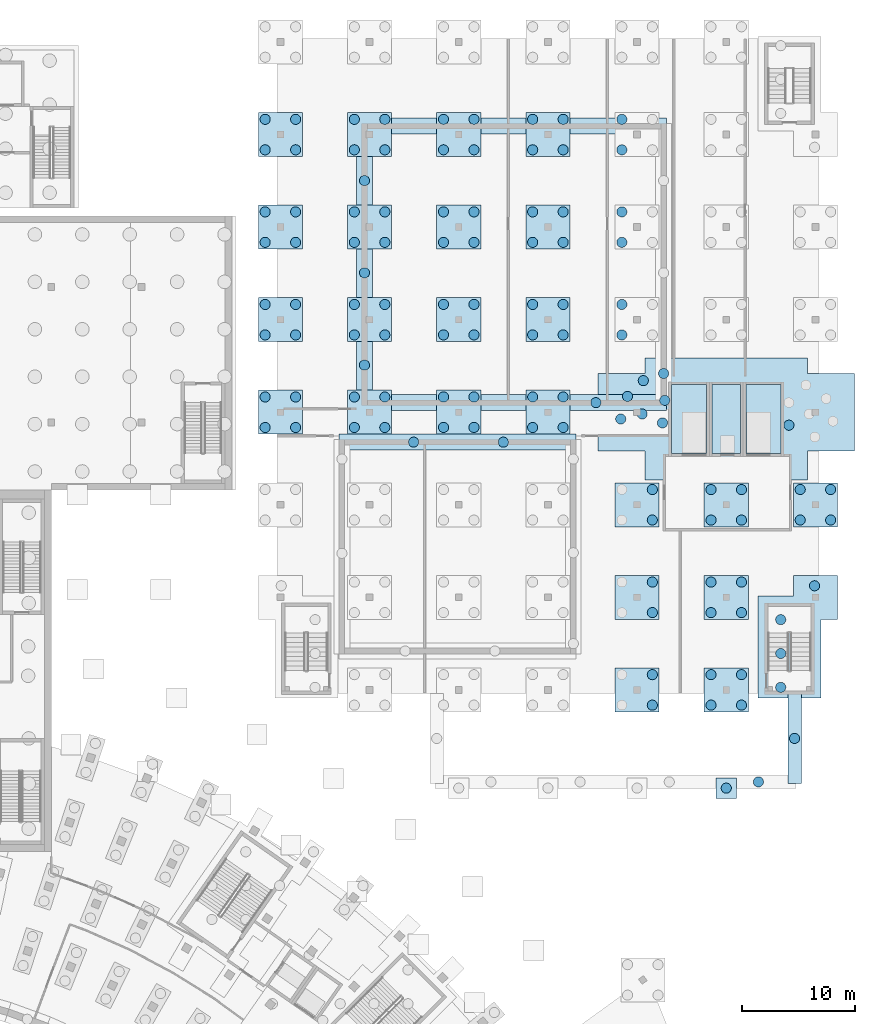
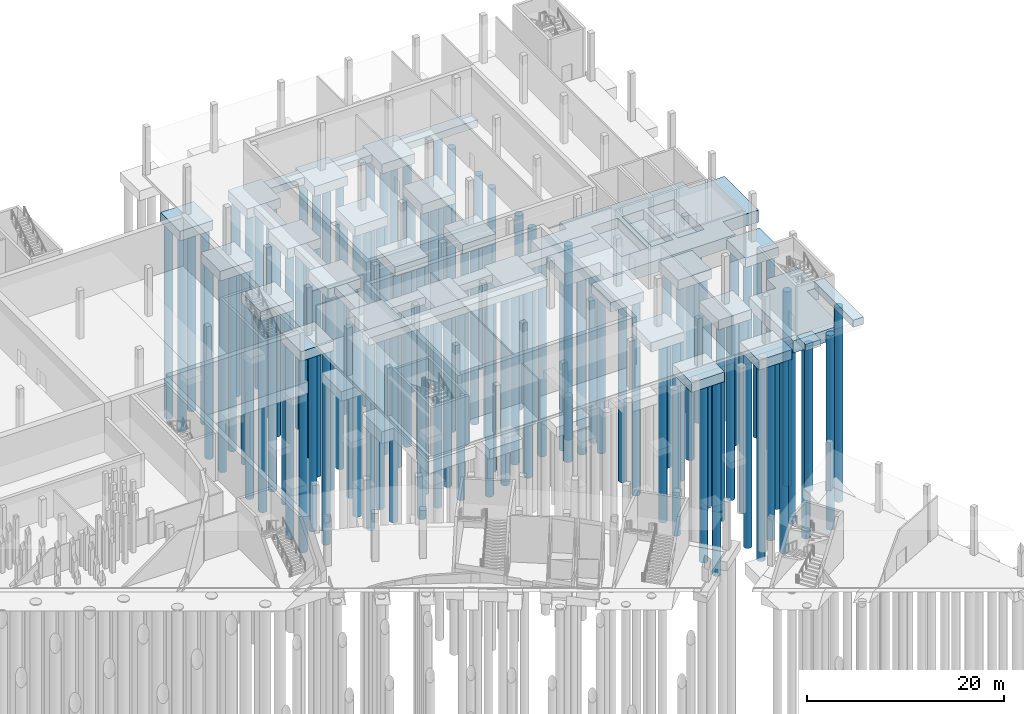
# One storey, part 9 of 66: 113 piles, 34 footings.
"""IFC4 building model written with IfcOpenShell, lengths in metres."""

from ifc_helpers import new_model, si_unit, direction, frame, origin, origin_2d, place, context, subcontext, project, spatial, polyline, circle, outline, extrude, material, material_profile, profile_set, type_object, element, save


model = new_model("IFC4")

# Units and contexts
model_context = context("Model", 3, precision=1e-05, world=origin(), true_north=direction((0.0, 1.0)))
body_context = subcontext(model_context, "Body", "Model", "MODEL_VIEW")
ifc_project = project(units=[si_unit("LENGTHUNIT", "METRE"), si_unit("AREAUNIT", "SQUARE_METRE"), si_unit("VOLUMEUNIT", "CUBIC_METRE"), si_unit("PLANEANGLEUNIT", "RADIAN"), si_unit("MASSUNIT", "GRAM", prefix="KILO")], contexts=[model_context])

# Site, building, storey
site_placement = place(None, origin())
site = spatial("IfcSite", under=ifc_project, at=site_placement, CompositionType="ELEMENT")
building_placement = place(site_placement, origin())
building = spatial("IfcBuilding", under=site, at=building_placement, Name="Lunette Opera House", CompositionType="ELEMENT")
storey_placement = place(building_placement, frame((0.0, 0.0, -6.0)))
storey = spatial("IfcBuildingStorey", under=building, at=storey_placement, Name="B1", CompositionType="ELEMENT", Elevation=-6.0)

# Piles
ifc_material_1 = material(Name="Concrete C40/50", Category="concrete")
ifc_material_profile = material_profile(ifc_material_1, circle(Radius=0.449951171875, at=origin_2d()), Name="BORED PILE 900")
ifc_profile_set = profile_set([ifc_material_profile], Name="Concrete C40/50")
pile_type = type_object("IfcPileType", Name="BORED PILE 900", PredefinedType="BORED", material=ifc_profile_set)
for number, where, z_axis, x_axis, name in (
    (1, (134.949951171875, 101.550048828125, -1.39990234375), (0.0, 0.0, -1.0), (1.0, 0.0, 0.0), "pile-WW-CAP002-1"),
    (2, (137.64990234375, 101.550048828125, -1.39990234375), (0.0, 0.0, -1.0), (1.0, 0.0, 0.0), "pile-WW-CAP002-2"),
    (3, (134.949951171875, 104.25, -1.39990234375), (0.0, 0.0, -1.0), (1.0, 0.0, 0.0), "pile-WW-CAP002-3"),
    (4, (137.64990234375, 104.25, -1.39990234375), (0.0, 0.0, -1.0), (1.0, 0.0, 0.0), "pile-WW-CAP002-4"),
    (5, (134.949951171875, 109.75, -1.39990234375), (0.0, 0.0, -1.0), (1.0, 0.0, 0.0), "pile-WW-CAP003-1"),
    (6, (137.64990234375, 109.75, -1.39990234375), (0.0, 0.0, -1.0), (1.0, 0.0, 0.0), "pile-WW-CAP003-2"),
    (7, (134.949951171875, 112.449951171875, -1.39990234375), (0.0, 0.0, -1.0), (1.0, 0.0, 0.0), "pile-WW-CAP003-3"),
    (8, (137.64990234375, 112.449951171875, -1.39990234375), (0.0, 0.0, -1.0), (1.0, 0.0, 0.0), "pile-WW-CAP003-4"),
    (9, (134.949951171875, 117.949951171875, -1.39990234375), (0.0, 0.0, -1.0), (1.0, 0.0, 0.0), "pile-WW-CAP004-1"),
    (10, (137.64990234375, 117.949951171875, -1.39990234375), (0.0, 0.0, -1.0), (1.0, 0.0, 0.0), "pile-WW-CAP004-2"),
    (11, (134.949951171875, 120.64990234375, -1.39990234375), (0.0, 0.0, -1.0), (1.0, 0.0, 0.0), "pile-WW-CAP004-3"),
    (12, (137.64990234375, 120.64990234375, -1.39990234375), (0.0, 0.0, -1.0), (1.0, 0.0, 0.0), "pile-WW-CAP004-4"),
    (13, (134.949951171875, 126.14990234375, -1.39990234375), (0.0, 0.0, -1.0), (1.0, 0.0, 0.0), "pile-WW-CAP005-1"),
    (14, (137.64990234375, 126.14990234375, -1.39990234375), (0.0, 0.0, -1.0), (1.0, 0.0, 0.0), "pile-WW-CAP005-2"),
    (15, (134.949951171875, 128.85009765625, -1.39990234375), (0.0, 0.0, -1.0), (1.0, 0.0, 0.0), "pile-WW-CAP005-3"),
    (16, (137.64990234375, 128.85009765625, -1.39990234375), (0.0, 0.0, -1.0), (1.0, 0.0, 0.0), "pile-WW-CAP005-4"),
    (17, (142.85009765625, 101.550048828125, -1.39990234375), (0.0, 0.0, -1.0), (1.0, 0.0, 0.0), "pile-WW-CAP010-1"),
    (18, (145.550048828125, 101.550048828125, -1.39990234375), (0.0, 0.0, -1.0), (1.0, 0.0, 0.0), "pile-WW-CAP010-2"),
    (19, (142.85009765625, 104.25, -1.39990234375), (0.0, 0.0, -1.0), (1.0, 0.0, 0.0), "pile-WW-CAP010-3"),
    (20, (145.550048828125, 104.25, -1.39990234375), (0.0, 0.0, -1.0), (1.0, 0.0, 0.0), "pile-WW-CAP010-4"),
    (21, (142.85009765625, 109.75, -1.39990234375), (0.0, 0.0, -1.0), (1.0, 0.0, 0.0), "pile-WW-CAP011-1"),
    (22, (145.550048828125, 109.75, -1.39990234375), (0.0, 0.0, -1.0), (1.0, 0.0, 0.0), "pile-WW-CAP011-2"),
    (23, (142.85009765625, 112.449951171875, -1.39990234375), (0.0, 0.0, -1.0), (1.0, 0.0, 0.0), "pile-WW-CAP011-3"),
    (24, (145.550048828125, 112.449951171875, -1.39990234375), (0.0, 0.0, -1.0), (1.0, 0.0, 0.0), "pile-WW-CAP011-4"),
    (25, (142.85009765625, 117.949951171875, -1.39990234375), (0.0, 0.0, -1.0), (1.0, 0.0, 0.0), "pile-WW-CAP012-1"),
    (26, (145.550048828125, 117.949951171875, -1.39990234375), (0.0, 0.0, -1.0), (1.0, 0.0, 0.0), "pile-WW-CAP012-2"),
    (27, (142.85009765625, 120.64990234375, -1.39990234375), (0.0, 0.0, -1.0), (1.0, 0.0, 0.0), "pile-WW-CAP012-3"),
    (28, (145.550048828125, 120.64990234375, -1.39990234375), (0.0, 0.0, -1.0), (1.0, 0.0, 0.0), "pile-WW-CAP012-4"),
    (29, (142.85009765625, 126.14990234375, -1.39990234375), (0.0, 0.0, -1.0), (1.0, 0.0, 0.0), "pile-WW-CAP013-1"),
    (30, (145.550048828125, 126.14990234375, -1.39990234375), (0.0, 0.0, -1.0), (1.0, 0.0, 0.0), "pile-WW-CAP013-2"),
    (31, (142.85009765625, 128.85009765625, -1.39990234375), (0.0, 0.0, -1.0), (1.0, 0.0, 0.0), "pile-WW-CAP013-3"),
    (32, (145.550048828125, 128.85009765625, -1.39990234375), (0.0, 0.0, -1.0), (1.0, 0.0, 0.0), "pile-WW-CAP013-4"),
    (33, (150.75, 101.550048828125, -1.39990234375), (0.0, 0.0, -1.0), (1.0, 0.0, 0.0), "pile-WW-CAP018-1"),
    (34, (153.449951171875, 101.550048828125, -1.39990234375), (0.0, 0.0, -1.0), (1.0, 0.0, 0.0), "pile-WW-CAP018-2"),
    (35, (150.75, 104.25, -1.39990234375), (0.0, 0.0, -1.0), (1.0, 0.0, 0.0), "pile-WW-CAP018-3"),
    (36, (153.449951171875, 104.25, -1.39990234375), (0.0, 0.0, -1.0), (1.0, 0.0, 0.0), "pile-WW-CAP018-4"),
    (37, (150.75, 109.75, -1.39990234375), (0.0, 0.0, -1.0), (1.0, 0.0, 0.0), "pile-WW-CAP019-1"),
    (38, (153.449951171875, 109.75, -1.39990234375), (0.0, 0.0, -1.0), (1.0, 0.0, 0.0), "pile-WW-CAP019-2"),
    (39, (150.75, 112.449951171875, -1.39990234375), (0.0, 0.0, -1.0), (1.0, 0.0, 0.0), "pile-WW-CAP019-3"),
    (40, (153.449951171875, 112.449951171875, -1.39990234375), (0.0, 0.0, -1.0), (1.0, 0.0, 0.0), "pile-WW-CAP019-4"),
    (41, (150.75, 117.949951171875, -1.39990234375), (0.0, 0.0, -1.0), (1.0, 0.0, 0.0), "pile-WW-CAP020-1"),
    (42, (153.449951171875, 117.949951171875, -1.39990234375), (0.0, 0.0, -1.0), (1.0, 0.0, 0.0), "pile-WW-CAP020-2"),
    (43, (150.75, 120.64990234375, -1.39990234375), (0.0, 0.0, -1.0), (1.0, 0.0, 0.0), "pile-WW-CAP020-3"),
    (44, (153.449951171875, 120.64990234375, -1.39990234375), (0.0, 0.0, -1.0), (1.0, 0.0, 0.0), "pile-WW-CAP020-4"),
    (45, (150.75, 126.14990234375, -1.39990234375), (0.0, 0.0, -1.0), (1.0, 0.0, 0.0), "pile-WW-CAP021-1"),
    (46, (153.449951171875, 126.14990234375, -1.39990234375), (0.0, 0.0, -1.0), (1.0, 0.0, 0.0), "pile-WW-CAP021-2"),
    (47, (150.75, 128.85009765625, -1.39990234375), (0.0, 0.0, -1.0), (1.0, 0.0, 0.0), "pile-WW-CAP021-3"),
    (48, (153.449951171875, 128.85009765625, -1.39990234375), (0.0, 0.0, -1.0), (1.0, 0.0, 0.0), "pile-WW-CAP021-4"),
    (49, (158.64990234375, 101.550048828125, -1.39990234375), (0.0, 0.0, -1.0), (1.0, 0.0, 0.0), "pile-WW-CAP026-1"),
    (50, (161.35009765625, 101.550048828125, -1.39990234375), (0.0, 0.0, -1.0), (1.0, 0.0, 0.0), "pile-WW-CAP026-2"),
    (51, (158.64990234375, 104.25, -1.39990234375), (0.0, 0.0, -1.0), (1.0, 0.0, 0.0), "pile-WW-CAP026-3"),
    (52, (161.35009765625, 104.25, -1.39990234375), (0.0, 0.0, -1.0), (1.0, 0.0, 0.0), "pile-WW-CAP026-4"),
    (53, (158.64990234375, 109.75, -1.39990234375), (0.0, 0.0, -1.0), (1.0, 0.0, 0.0), "pile-WW-CAP027-1"),
    (54, (161.35009765625, 109.75, -1.39990234375), (0.0, 0.0, -1.0), (1.0, 0.0, 0.0), "pile-WW-CAP027-2"),
    (55, (158.64990234375, 112.449951171875, -1.39990234375), (0.0, 0.0, -1.0), (1.0, 0.0, 0.0), "pile-WW-CAP027-3"),
    (56, (161.35009765625, 112.449951171875, -1.39990234375), (0.0, 0.0, -1.0), (1.0, 0.0, 0.0), "pile-WW-CAP027-4"),
    (57, (158.64990234375, 117.949951171875, -1.39990234375), (0.0, 0.0, -1.0), (1.0, 0.0, 0.0), "pile-WW-CAP028-1"),
    (58, (161.35009765625, 117.949951171875, -1.39990234375), (0.0, 0.0, -1.0), (1.0, 0.0, 0.0), "pile-WW-CAP028-2"),
    (59, (158.64990234375, 120.64990234375, -1.39990234375), (0.0, 0.0, -1.0), (1.0, 0.0, 0.0), "pile-WW-CAP028-3"),
    (60, (161.35009765625, 120.64990234375, -1.39990234375), (0.0, 0.0, -1.0), (1.0, 0.0, 0.0), "pile-WW-CAP028-4"),
    (61, (158.64990234375, 126.14990234375, -1.39990234375), (0.0, 0.0, -1.0), (1.0, 0.0, 0.0), "pile-WW-CAP029-1"),
    (62, (161.35009765625, 126.14990234375, -1.39990234375), (0.0, 0.0, -1.0), (1.0, 0.0, 0.0), "pile-WW-CAP029-2"),
    (63, (158.64990234375, 128.85009765625, -1.39990234375), (0.0, 0.0, -1.0), (1.0, 0.0, 0.0), "pile-WW-CAP029-3"),
    (64, (161.35009765625, 128.85009765625, -1.39990234375), (0.0, 0.0, -1.0), (1.0, 0.0, 0.0), "pile-WW-CAP029-4"),
    (65, (169.25, 76.949951171875, -1.39990234375), (0.0, 0.0, -1.0), (1.0, 0.0, 0.0), "pile-WW-CAP031-2"),
    (66, (169.25, 79.64990234375, -1.39990234375), (0.0, 0.0, -1.0), (1.0, 0.0, 0.0), "pile-WW-CAP031-4"),
    (67, (169.25, 85.14990234375, -1.39990234375), (0.0, 0.0, -1.0), (1.0, 0.0, 0.0), "pile-WW-CAP032-2"),
    (68, (169.25, 87.85009765625, -1.39990234375), (0.0, 0.0, -1.0), (1.0, 0.0, 0.0), "pile-WW-CAP032-4"),
    (69, (169.25, 93.35009765625, -1.39990234375), (0.0, 0.0, -1.0), (1.0, 0.0, 0.0), "pile-WW-CAP033-2"),
    (70, (169.25, 96.050048828125, -1.39990234375), (0.0, 0.0, -1.0), (1.0, 0.0, 0.0), "pile-WW-CAP033-4"),
    (71, (166.550048828125, 109.75, -1.39990234375), (0.0, 0.0, -1.0), (1.0, 0.0, 0.0), "pile-WW-CAP034-1"),
    (72, (166.550048828125, 112.449951171875, -1.39990234375), (0.0, 0.0, -1.0), (1.0, 0.0, 0.0), "pile-WW-CAP034-3"),
    (73, (166.550048828125, 117.949951171875, -1.39990234375), (0.0, 0.0, -1.0), (1.0, 0.0, 0.0), "pile-WW-CAP035-1"),
    (74, (166.550048828125, 120.64990234375, -1.39990234375), (0.0, 0.0, -1.0), (1.0, 0.0, 0.0), "pile-WW-CAP035-3"),
    (75, (166.550048828125, 126.14990234375, -1.39990234375), (0.0, 0.0, -1.0), (1.0, 0.0, 0.0), "pile-WW-CAP036-1"),
    (76, (166.550048828125, 128.85009765625, -1.39990234375), (0.0, 0.0, -1.0), (1.0, 0.0, 0.0), "pile-WW-CAP036-3"),
    (77, (174.449951171875, 76.949951171875, -1.39990234375), (0.0, 0.0, -1.0), (1.0, 0.0, 0.0), "pile-WW-CAP038-1"),
    (78, (177.14990234375, 76.949951171875, -1.39990234375), (0.0, 0.0, -1.0), (1.0, 0.0, 0.0), "pile-WW-CAP038-2"),
    (79, (174.449951171875, 79.64990234375, -1.39990234375), (0.0, 0.0, -1.0), (1.0, 0.0, 0.0), "pile-WW-CAP038-3"),
    (80, (177.14990234375, 79.64990234375, -1.39990234375), (0.0, 0.0, -1.0), (1.0, 0.0, 0.0), "pile-WW-CAP038-4"),
    (81, (174.449951171875, 85.14990234375, -1.39990234375), (0.0, 0.0, -1.0), (1.0, 0.0, 0.0), "pile-WW-CAP039-1"),
    (82, (177.14990234375, 85.14990234375, -1.39990234375), (0.0, 0.0, -1.0), (1.0, 0.0, 0.0), "pile-WW-CAP039-2"),
    (83, (174.449951171875, 87.85009765625, -1.39990234375), (0.0, 0.0, -1.0), (1.0, 0.0, 0.0), "pile-WW-CAP039-3"),
    (84, (177.14990234375, 87.85009765625, -1.39990234375), (0.0, 0.0, -1.0), (1.0, 0.0, 0.0), "pile-WW-CAP039-4"),
    (85, (174.449951171875, 93.35009765625, -1.39990234375), (0.0, 0.0, -1.0), (1.0, 0.0, 0.0), "pile-WW-CAP040-1"),
    (86, (177.14990234375, 93.35009765625, -1.39990234375), (0.0, 0.0, -1.0), (1.0, 0.0, 0.0), "pile-WW-CAP040-2"),
    (87, (174.449951171875, 96.050048828125, -1.39990234375), (0.0, 0.0, -1.0), (1.0, 0.0, 0.0), "pile-WW-CAP040-3"),
    (88, (177.14990234375, 96.050048828125, -1.39990234375), (0.0, 0.0, -1.0), (1.0, 0.0, 0.0), "pile-WW-CAP040-4"),
    (89, (182.35009765625, 93.35009765625, -1.39990234375), (0.0, 0.0, -1.0), (1.0, 0.0, 0.0), "pile-WW-CAP045-1"),
    (90, (185.050048828125, 93.35009765625, -1.39990234375), (0.0, 0.0, -1.0), (1.0, 0.0, 0.0), "pile-WW-CAP045-2"),
    (91, (182.35009765625, 96.050048828125, -1.39990234375), (0.0, 0.0, -1.0), (1.0, 0.0, 0.0), "pile-WW-CAP045-3"),
    (92, (185.050048828125, 96.050048828125, -1.39990234375), (0.0, 0.0, -1.0), (1.0, 0.0, 0.0), "pile-WW-CAP045-4"),
    (93, (166.449951171875, 102.300048828125, -1.699951171875), (0.0, 0.0, -1.0), (1.0, 0.0, 0.0), "pile-WW-RAFT01-01"),
    (94, (170.14990234375, 101.949951171875, -1.699951171875), (0.0, 0.0, -1.0), (1.0, 0.0, 0.0), "pile-WW-RAFT01-02"),
    (95, (168.449951171875, 105.699951171875, -1.699951171875), (0.0, 0.0, -1.0), (1.0, 0.0, 0.0), "pile-WW-RAFT01-03"),
    (96, (170.35009765625, 103.949951171875, -1.699951171875), (0.0, 0.0, -1.0), (1.0, 0.0, 0.0), "pile-WW-RAFT01-05"),
    (97, (168.35009765625, 102.75, -1.699951171875), (0.0, 0.0, -1.0), (1.0, 0.0, 0.0), "pile-WW-RAFT01-08"),
    (98, (167.050048828125, 104.300048828125, -1.699951171875), (0.0, 0.0, -1.0), (1.0, 0.0, 0.0), "pile-WW-RAFT01-10"),
    (99, (181.35009765625, 101.75, -1.699951171875), (0.0, 0.0, -1.0), (1.0, 0.0, 0.0), "pile-WW-RAFT01-12"),
    (100, (180.625, 78.52490234375, -1.699951171875), (0.0, 0.0, -1.0), (1.0, 0.0, 0.0), "pile-WW-RAFT03-01"),
    (101, (180.625, 81.52490234375, -1.699951171875), (0.0, 0.0, -1.0), (1.0, 0.0, 0.0), "pile-WW-RAFT03-02"),
    (102, (180.625, 84.52490234375, -1.699951171875), (0.0, 0.0, -1.0), (1.0, 0.0, 0.0), "pile-WW-RAFT03-03"),
    (103, (183.625, 87.52490234375, -1.699951171875), (0.0, 0.0, -1.0), (1.0, 0.0, 0.0), "pile-WW-RAFT03-04"),
    (104, (148.10009765625, 100.25, -1.10009765625), (0.0, 0.0, -1.0), (1.0, 0.0, 0.0), "pile-WW-SFCPN-1"),
    (105, (156.050048828125, 100.25, -1.10009765625), (0.0, 0.0, -1.0), (1.0, 0.0, 0.0), "pile-WW-SFCPN-2"),
    (106, (164.25, 103.75, -1.10009765625), (0.0, 0.0, -1.0), (1.0, 0.0, 0.0), "pile-WW-SFPHS-1"),
    (107, (143.75, 107.0830078125, -1.10009765625), (0.0, 0.0, -1.0), (1.0, 0.0, 0.0), "pile-WW-SFPHW-1"),
    (108, (143.75, 115.25, -1.10009765625), (0.0, 0.0, -1.0), (1.0, 0.0, 0.0), "pile-WW-SFPHW-2"),
    (109, (143.75, 123.4169921875, -1.10009765625), (0.0, 0.0, -1.0), (1.0, 0.0, 0.0), "pile-WW-SFPHW-3"),
    (110, (170.25, 106.3330078125, -1.10009765625), (0.0, 0.0, -1.0), (1.0, 0.0, 0.0), "pile-WW-SFPHE-1"),
):
    element("IfcPile", number, at=place(storey_placement, frame(where, z_axis=z_axis, x_axis=x_axis)), inside=storey, type_object=pile_type, Name=name, PredefinedType="BORED", context=body_context, shape_type="SweptSolid", body=[
        extrude(circle(Radius=0.449951171875, at=origin_2d()), origin(), (0.0, 0.0, 1.0), 24.10009765625),
    ])
pile_placement = place(storey_placement, frame((175.800048828125, 69.60009765625, 5.25), z_axis=(0.0, 0.0, -1.0), x_axis=(1.0, 0.0, 0.0)))
element("IfcPile", 111, at=pile_placement, inside=storey, type_object=pile_type, Name="pile-WW-DCP4-1", PredefinedType="BORED", context=body_context, shape_type="SweptSolid", body=[
    extrude(circle(Radius=0.449951171875, at=origin_2d()), origin(), (0.0, 0.0, 1.0), 18.10009765625),
])
for number, where, z_axis, x_axis, name in (
    (112, (178.64990234375, 70.14990234375, 5.14990234375), (0.0, 0.0, -1.0), (1.0, 0.0, 0.0), "pile-WW-SFDKS-4"),
    (113, (181.85009765625, 74.0, 5.14990234375), (0.0, 0.0, -1.0), (1.0, 0.0, 0.0), "pile-WW-SFDKE-1"),
):
    element("IfcPile", number, at=place(storey_placement, frame(where, z_axis=z_axis, x_axis=x_axis)), inside=storey, type_object=pile_type, Name=name, PredefinedType="BORED", context=body_context, shape_type="SweptSolid", body=[
        extrude(circle(Radius=0.449951171875, at=origin_2d()), origin(), (0.0, 0.0, 1.0), 24.10009765625),
    ])

# Footings
ifc_material_2 = material(Name="Concrete C40/50", Category="concrete")
footing_type_1 = type_object("IfcFootingType", Name="CORE RAFT 1500", PredefinedType="PILE_CAP", material=ifc_material_2)
footing_1_placement = place(storey_placement, frame((0.0, 0.0, -1.800048828125)))
element("IfcFooting", 114, at=footing_1_placement, inside=storey, type_object=footing_type_1, Name="ftg-WW-RAFT01", PredefinedType="PILE_CAP", context=body_context, shape_type="SweptSolid", body=[
    extrude(outline(polyline([(168.60009765625, 106.35009765625), (164.449951171875, 106.35009765625), (164.449951171875, 99.449951171875), (168.60009765625, 99.449951171875), (168.60009765625, 96.89990234375), (183.0, 96.89990234375), (183.0, 99.449951171875), (187.14990234375, 99.449951171875), (187.14990234375, 106.35009765625), (183.0, 106.35009765625), (183.0, 107.699951171875), (168.60009765625, 107.699951171875), (168.60009765625, 106.35009765625)]), holes=[polyline([(174.050048828125, 99.25), (170.949951171875, 99.25), (170.949951171875, 105.35009765625), (174.050048828125, 105.35009765625), (174.050048828125, 99.25)]), polyline([(174.550048828125, 105.35009765625), (177.050048828125, 105.35009765625), (177.050048828125, 99.25), (174.550048828125, 99.25), (174.550048828125, 105.35009765625)]), polyline([(177.550048828125, 105.35009765625), (180.64990234375, 105.35009765625), (180.64990234375, 99.25), (177.550048828125, 99.25), (177.550048828125, 105.35009765625)])]), origin(), (0.0, 0.0, 1.0), 1.5),
])
footing_2_placement = place(storey_placement, frame((0.0, 0.0, -1.800048828125)))
element("IfcFooting", 115, at=footing_2_placement, inside=storey, type_object=footing_type_1, Name="ftg-WW-RAFT03", PredefinedType="PILE_CAP", context=body_context, shape_type="SweptSolid", body=[
    extrude(outline(polyline([(181.75, 88.449951171875), (181.75, 86.60009765625), (178.60009765625, 86.60009765625), (178.60009765625, 77.60009765625), (184.199951171875, 77.60009765625), (184.199951171875, 84.550048828125), (185.64990234375, 84.550048828125), (185.64990234375, 88.449951171875), (181.75, 88.449951171875)])), origin(), (0.0, 0.0, 1.0), 1.5),
])
ifc_material_3 = material(Name="Concrete C35/45", Category="concrete")
footing_type_2 = type_object("IfcFootingType", Name="LIFT PIT FLOOR 300", PredefinedType="PAD_FOOTING", material=ifc_material_3)
footing_3_placement = place(storey_placement, frame((0.0, 0.0, -1.800048828125)))
element("IfcFooting", 116, at=footing_3_placement, inside=storey, type_object=footing_type_2, Name="LF6 pit floor", PredefinedType="PAD_FOOTING", context=body_context, shape_type="SweptSolid", body=[
    extrude(outline(polyline([(177.050048828125, 99.25), (174.550048828125, 99.25), (174.550048828125, 105.35009765625), (177.050048828125, 105.35009765625), (177.050048828125, 99.25)])), origin(), (0.0, 0.0, 1.0), 0.300048828125),
])
footing_4_placement = place(storey_placement, frame((0.0, 0.0, -1.800048828125)))
element("IfcFooting", 117, at=footing_4_placement, inside=storey, type_object=footing_type_2, Name="LG2 pit floor", PredefinedType="PAD_FOOTING", context=body_context, shape_type="SweptSolid", body=[
    extrude(outline(polyline([(174.050048828125, 99.25), (170.949951171875, 99.25), (170.949951171875, 105.35009765625), (174.050048828125, 105.35009765625), (174.050048828125, 99.25)])), origin(), (0.0, 0.0, 1.0), 0.300048828125),
])
footing_5_placement = place(storey_placement, frame((0.0, 0.0, -1.800048828125)))
element("IfcFooting", 118, at=footing_5_placement, inside=storey, type_object=footing_type_2, Name="LG3 pit floor", PredefinedType="PAD_FOOTING", context=body_context, shape_type="SweptSolid", body=[
    extrude(outline(polyline([(180.64990234375, 99.25), (177.550048828125, 99.25), (177.550048828125, 105.35009765625), (180.64990234375, 105.35009765625), (180.64990234375, 99.25)])), origin(), (0.0, 0.0, 1.0), 0.300048828125),
])
ifc_material_4 = material(Name="Concrete C35/45", Category="concrete")
footing_type_3 = type_object("IfcFootingType", Name="PAD FOOTING 1800X1800", PredefinedType="PAD_FOOTING", material=ifc_material_4)
footing_6_placement = place(storey_placement, frame((0.0, 0.0, 5.14990234375)))
element("IfcFooting", 119, at=footing_6_placement, inside=storey, type_object=footing_type_3, Name="ftg-WW-DCP4", PredefinedType="PAD_FOOTING", context=body_context, shape_type="SweptSolid", body=[
    extrude(outline(polyline([(176.699951171875, 68.699951171875), (176.699951171875, 70.5), (174.89990234375, 70.5), (174.89990234375, 68.699951171875), (176.699951171875, 68.699951171875)])), origin(), (0.0, 0.0, 1.0), 0.800048828125),
])
ifc_material_5 = material(Name="Concrete C35/45", Category="concrete")
footing_type_4 = type_object("IfcFootingType", Name="PILE CAP 3900X3900", PredefinedType="PILE_CAP", material=ifc_material_5)
footing_7_placement = place(storey_placement, frame((0.0, 0.0, -1.5)))
element("IfcFooting", 120, at=footing_7_placement, inside=storey, type_object=footing_type_4, Name="ftg-WW-CAP002", PredefinedType="PILE_CAP", context=body_context, shape_type="SweptSolid", body=[
    extrude(outline(polyline([(138.25, 100.949951171875), (138.25, 104.85009765625), (134.35009765625, 104.85009765625), (134.35009765625, 100.949951171875), (138.25, 100.949951171875)])), origin(), (0.0, 0.0, 1.0), 1.199951171875),
])
footing_8_placement = place(storey_placement, frame((0.0, 0.0, -1.5)))
element("IfcFooting", 121, at=footing_8_placement, inside=storey, type_object=footing_type_4, Name="ftg-WW-CAP003", PredefinedType="PILE_CAP", context=body_context, shape_type="SweptSolid", body=[
    extrude(outline(polyline([(138.25, 109.14990234375), (138.25, 113.050048828125), (134.35009765625, 113.050048828125), (134.35009765625, 109.14990234375), (138.25, 109.14990234375)])), origin(), (0.0, 0.0, 1.0), 1.199951171875),
])
footing_9_placement = place(storey_placement, frame((0.0, 0.0, -1.5)))
element("IfcFooting", 122, at=footing_9_placement, inside=storey, type_object=footing_type_4, Name="ftg-WW-CAP004", PredefinedType="PILE_CAP", context=body_context, shape_type="SweptSolid", body=[
    extrude(outline(polyline([(138.25, 117.35009765625), (138.25, 121.25), (134.35009765625, 121.25), (134.35009765625, 117.35009765625), (138.25, 117.35009765625)])), origin(), (0.0, 0.0, 1.0), 1.199951171875),
])
footing_10_placement = place(storey_placement, frame((0.0, 0.0, -1.5)))
element("IfcFooting", 123, at=footing_10_placement, inside=storey, type_object=footing_type_4, Name="ftg-WW-CAP005", PredefinedType="PILE_CAP", context=body_context, shape_type="SweptSolid", body=[
    extrude(outline(polyline([(138.25, 125.550048828125), (138.25, 129.449951171875), (134.35009765625, 129.449951171875), (134.35009765625, 125.550048828125), (138.25, 125.550048828125)])), origin(), (0.0, 0.0, 1.0), 1.199951171875),
])
footing_11_placement = place(storey_placement, frame((0.0, 0.0, -1.5)))
element("IfcFooting", 124, at=footing_11_placement, inside=storey, type_object=footing_type_4, Name="ftg-WW-CAP010", PredefinedType="PILE_CAP", context=body_context, shape_type="SweptSolid", body=[
    extrude(outline(polyline([(146.14990234375, 100.949951171875), (146.14990234375, 104.85009765625), (142.25, 104.85009765625), (142.25, 100.949951171875), (146.14990234375, 100.949951171875)])), origin(), (0.0, 0.0, 1.0), 1.199951171875),
])
footing_12_placement = place(storey_placement, frame((0.0, 0.0, -1.5)))
element("IfcFooting", 125, at=footing_12_placement, inside=storey, type_object=footing_type_4, Name="ftg-WW-CAP011", PredefinedType="PILE_CAP", context=body_context, shape_type="SweptSolid", body=[
    extrude(outline(polyline([(146.14990234375, 109.14990234375), (146.14990234375, 113.050048828125), (142.25, 113.050048828125), (142.25, 109.14990234375), (146.14990234375, 109.14990234375)])), origin(), (0.0, 0.0, 1.0), 1.199951171875),
])
footing_13_placement = place(storey_placement, frame((0.0, 0.0, -1.5)))
element("IfcFooting", 126, at=footing_13_placement, inside=storey, type_object=footing_type_4, Name="ftg-WW-CAP012", PredefinedType="PILE_CAP", context=body_context, shape_type="SweptSolid", body=[
    extrude(outline(polyline([(146.14990234375, 117.35009765625), (146.14990234375, 121.25), (142.25, 121.25), (142.25, 117.35009765625), (146.14990234375, 117.35009765625)])), origin(), (0.0, 0.0, 1.0), 1.199951171875),
])
footing_14_placement = place(storey_placement, frame((0.0, 0.0, -1.5)))
element("IfcFooting", 127, at=footing_14_placement, inside=storey, type_object=footing_type_4, Name="ftg-WW-CAP013", PredefinedType="PILE_CAP", context=body_context, shape_type="SweptSolid", body=[
    extrude(outline(polyline([(146.14990234375, 125.550048828125), (146.14990234375, 129.449951171875), (142.25, 129.449951171875), (142.25, 125.550048828125), (146.14990234375, 125.550048828125)])), origin(), (0.0, 0.0, 1.0), 1.199951171875),
])
footing_15_placement = place(storey_placement, frame((0.0, 0.0, -1.5)))
element("IfcFooting", 128, at=footing_15_placement, inside=storey, type_object=footing_type_4, Name="ftg-WW-CAP018", PredefinedType="PILE_CAP", context=body_context, shape_type="SweptSolid", body=[
    extrude(outline(polyline([(154.050048828125, 100.949951171875), (154.050048828125, 104.85009765625), (150.14990234375, 104.85009765625), (150.14990234375, 100.949951171875), (154.050048828125, 100.949951171875)])), origin(), (0.0, 0.0, 1.0), 1.199951171875),
])
footing_16_placement = place(storey_placement, frame((0.0, 0.0, -1.5)))
element("IfcFooting", 129, at=footing_16_placement, inside=storey, type_object=footing_type_4, Name="ftg-WW-CAP019", PredefinedType="PILE_CAP", context=body_context, shape_type="SweptSolid", body=[
    extrude(outline(polyline([(154.050048828125, 109.14990234375), (154.050048828125, 113.050048828125), (150.14990234375, 113.050048828125), (150.14990234375, 109.14990234375), (154.050048828125, 109.14990234375)])), origin(), (0.0, 0.0, 1.0), 1.199951171875),
])
footing_17_placement = place(storey_placement, frame((0.0, 0.0, -1.5)))
element("IfcFooting", 130, at=footing_17_placement, inside=storey, type_object=footing_type_4, Name="ftg-WW-CAP020", PredefinedType="PILE_CAP", context=body_context, shape_type="SweptSolid", body=[
    extrude(outline(polyline([(154.050048828125, 117.35009765625), (154.050048828125, 121.25), (150.14990234375, 121.25), (150.14990234375, 117.35009765625), (154.050048828125, 117.35009765625)])), origin(), (0.0, 0.0, 1.0), 1.199951171875),
])
footing_18_placement = place(storey_placement, frame((0.0, 0.0, -1.5)))
element("IfcFooting", 131, at=footing_18_placement, inside=storey, type_object=footing_type_4, Name="ftg-WW-CAP021", PredefinedType="PILE_CAP", context=body_context, shape_type="SweptSolid", body=[
    extrude(outline(polyline([(154.050048828125, 125.550048828125), (154.050048828125, 129.449951171875), (150.14990234375, 129.449951171875), (150.14990234375, 125.550048828125), (154.050048828125, 125.550048828125)])), origin(), (0.0, 0.0, 1.0), 1.199951171875),
])
footing_19_placement = place(storey_placement, frame((0.0, 0.0, -1.5)))
element("IfcFooting", 132, at=footing_19_placement, inside=storey, type_object=footing_type_4, Name="ftg-WW-CAP026", PredefinedType="PILE_CAP", context=body_context, shape_type="SweptSolid", body=[
    extrude(outline(polyline([(161.949951171875, 100.949951171875), (161.949951171875, 104.85009765625), (158.050048828125, 104.85009765625), (158.050048828125, 100.949951171875), (161.949951171875, 100.949951171875)])), origin(), (0.0, 0.0, 1.0), 1.199951171875),
])
footing_20_placement = place(storey_placement, frame((0.0, 0.0, -1.5)))
element("IfcFooting", 133, at=footing_20_placement, inside=storey, type_object=footing_type_4, Name="ftg-WW-CAP027", PredefinedType="PILE_CAP", context=body_context, shape_type="SweptSolid", body=[
    extrude(outline(polyline([(161.949951171875, 109.14990234375), (161.949951171875, 113.050048828125), (158.050048828125, 113.050048828125), (158.050048828125, 109.14990234375), (161.949951171875, 109.14990234375)])), origin(), (0.0, 0.0, 1.0), 1.199951171875),
])
footing_21_placement = place(storey_placement, frame((0.0, 0.0, -1.5)))
element("IfcFooting", 134, at=footing_21_placement, inside=storey, type_object=footing_type_4, Name="ftg-WW-CAP028", PredefinedType="PILE_CAP", context=body_context, shape_type="SweptSolid", body=[
    extrude(outline(polyline([(161.949951171875, 117.35009765625), (161.949951171875, 121.25), (158.050048828125, 121.25), (158.050048828125, 117.35009765625), (161.949951171875, 117.35009765625)])), origin(), (0.0, 0.0, 1.0), 1.199951171875),
])
footing_22_placement = place(storey_placement, frame((0.0, 0.0, -1.5)))
element("IfcFooting", 135, at=footing_22_placement, inside=storey, type_object=footing_type_4, Name="ftg-WW-CAP029", PredefinedType="PILE_CAP", context=body_context, shape_type="SweptSolid", body=[
    extrude(outline(polyline([(161.949951171875, 125.550048828125), (161.949951171875, 129.449951171875), (158.050048828125, 129.449951171875), (158.050048828125, 125.550048828125), (161.949951171875, 125.550048828125)])), origin(), (0.0, 0.0, 1.0), 1.199951171875),
])
footing_23_placement = place(storey_placement, frame((0.0, 0.0, -1.5)))
element("IfcFooting", 136, at=footing_23_placement, inside=storey, type_object=footing_type_4, Name="ftg-WW-CAP031", PredefinedType="PILE_CAP", context=body_context, shape_type="SweptSolid", body=[
    extrude(outline(polyline([(169.85009765625, 76.35009765625), (169.85009765625, 80.25), (165.949951171875, 80.25), (165.949951171875, 76.35009765625), (169.85009765625, 76.35009765625)])), origin(), (0.0, 0.0, 1.0), 1.199951171875),
])
footing_24_placement = place(storey_placement, frame((0.0, 0.0, -1.5)))
element("IfcFooting", 137, at=footing_24_placement, inside=storey, type_object=footing_type_4, Name="ftg-WW-CAP032", PredefinedType="PILE_CAP", context=body_context, shape_type="SweptSolid", body=[
    extrude(outline(polyline([(169.85009765625, 84.550048828125), (169.85009765625, 88.449951171875), (165.949951171875, 88.449951171875), (165.949951171875, 84.550048828125), (169.85009765625, 84.550048828125)])), origin(), (0.0, 0.0, 1.0), 1.199951171875),
])
footing_25_placement = place(storey_placement, frame((0.0, 0.0, -1.5)))
element("IfcFooting", 138, at=footing_25_placement, inside=storey, type_object=footing_type_4, Name="ftg-WW-CAP033", PredefinedType="PILE_CAP", context=body_context, shape_type="SweptSolid", body=[
    extrude(outline(polyline([(169.85009765625, 92.75), (169.85009765625, 96.64990234375), (165.949951171875, 96.64990234375), (165.949951171875, 92.75), (169.85009765625, 92.75)])), origin(), (0.0, 0.0, 1.0), 1.199951171875),
])
footing_26_placement = place(storey_placement, frame((0.0, 0.0, -1.5)))
element("IfcFooting", 139, at=footing_26_placement, inside=storey, type_object=footing_type_4, Name="ftg-WW-CAP038", PredefinedType="PILE_CAP", context=body_context, shape_type="SweptSolid", body=[
    extrude(outline(polyline([(177.75, 76.35009765625), (177.75, 80.25), (173.85009765625, 80.25), (173.85009765625, 76.35009765625), (177.75, 76.35009765625)])), origin(), (0.0, 0.0, 1.0), 1.199951171875),
])
footing_27_placement = place(storey_placement, frame((0.0, 0.0, -1.5)))
element("IfcFooting", 140, at=footing_27_placement, inside=storey, type_object=footing_type_4, Name="ftg-WW-CAP039", PredefinedType="PILE_CAP", context=body_context, shape_type="SweptSolid", body=[
    extrude(outline(polyline([(177.75, 84.550048828125), (177.75, 88.449951171875), (173.85009765625, 88.449951171875), (173.85009765625, 84.550048828125), (177.75, 84.550048828125)])), origin(), (0.0, 0.0, 1.0), 1.199951171875),
])
footing_28_placement = place(storey_placement, frame((0.0, 0.0, -1.5)))
element("IfcFooting", 141, at=footing_28_placement, inside=storey, type_object=footing_type_4, Name="ftg-WW-CAP040", PredefinedType="PILE_CAP", context=body_context, shape_type="SweptSolid", body=[
    extrude(outline(polyline([(177.75, 92.75), (177.75, 96.64990234375), (173.85009765625, 96.64990234375), (173.85009765625, 92.75), (177.75, 92.75)])), origin(), (0.0, 0.0, 1.0), 1.199951171875),
])
footing_29_placement = place(storey_placement, frame((0.0, 0.0, -1.5)))
element("IfcFooting", 142, at=footing_29_placement, inside=storey, type_object=footing_type_4, Name="ftg-WW-CAP045", PredefinedType="PILE_CAP", context=body_context, shape_type="SweptSolid", body=[
    extrude(outline(polyline([(185.64990234375, 92.75), (185.64990234375, 96.64990234375), (181.75, 96.64990234375), (181.75, 92.75), (185.64990234375, 92.75)])), origin(), (0.0, 0.0, 1.0), 1.199951171875),
])
ifc_material_6 = material(Name="Concrete C35/45", Category="concrete")
footing_type_5 = type_object("IfcFootingType", Name="STRIP FOOTING 1800X900", PredefinedType="STRIP_FOOTING", material=ifc_material_6)
footing_30_placement = place(storey_placement, frame((0.0, 0.0, -1.199951171875)))
element("IfcFooting", 143, at=footing_30_placement, inside=storey, type_object=footing_type_5, Name="ftg-WW-SFCPN", PredefinedType="STRIP_FOOTING", context=body_context, shape_type="SweptSolid", body=[
    extrude(outline(polyline([(141.5, 100.949951171875), (141.5, 99.550048828125), (162.5, 99.550048828125), (162.5, 100.949951171875), (141.5, 100.949951171875)])), origin(), (0.0, 0.0, 1.0), 0.89990234375),
])
footing_31_placement = place(storey_placement, frame((0.0, 0.0, -1.199951171875)))
element("IfcFooting", 144, at=footing_31_placement, inside=storey, type_object=footing_type_5, Name="ftg-WW-SFPHS", PredefinedType="STRIP_FOOTING", context=body_context, shape_type="SweptSolid", body=[
    extrude(outline(polyline([(143.5, 104.449951171875), (143.5, 103.050048828125), (170.5, 103.050048828125), (170.5, 104.449951171875), (143.5, 104.449951171875)])), origin(), (0.0, 0.0, 1.0), 0.89990234375),
])
footing_32_placement = place(storey_placement, frame((0.0, 0.0, -1.199951171875)))
element("IfcFooting", 145, at=footing_32_placement, inside=storey, type_object=footing_type_5, Name="ftg-WW-SFPHN", PredefinedType="STRIP_FOOTING", context=body_context, shape_type="SweptSolid", body=[
    extrude(outline(polyline([(143.5, 128.949951171875), (143.5, 127.550048828125), (170.5, 127.550048828125), (170.5, 128.949951171875), (143.5, 128.949951171875)])), origin(), (0.0, 0.0, 1.0), 0.89990234375),
])
footing_33_placement = place(storey_placement, frame((0.0, 0.0, -1.199951171875)))
element("IfcFooting", 146, at=footing_33_placement, inside=storey, type_object=footing_type_5, Name="ftg-WW-SFPHW", PredefinedType="STRIP_FOOTING", context=body_context, shape_type="SweptSolid", body=[
    extrude(outline(polyline([(143.050048828125, 103.5), (144.449951171875, 103.5), (144.449951171875, 128.5), (143.050048828125, 128.5), (143.050048828125, 103.5)])), origin(), (0.0, 0.0, 1.0), 0.89990234375),
])
footing_34_placement = place(storey_placement, frame((0.0, 0.0, 5.050048828125)))
element("IfcFooting", 147, at=footing_34_placement, inside=storey, type_object=footing_type_5, Name="ftg-WW-SFDKE", PredefinedType="STRIP_FOOTING", context=body_context, shape_type="SweptSolid", body=[
    extrude(outline(polyline([(181.25, 70.0), (182.449951171875, 70.0), (182.449951171875, 78.0), (181.25, 78.0), (181.25, 70.0)])), origin(), (0.0, 0.0, 1.0), 0.89990234375),
])

save(model, "model.ifc")
